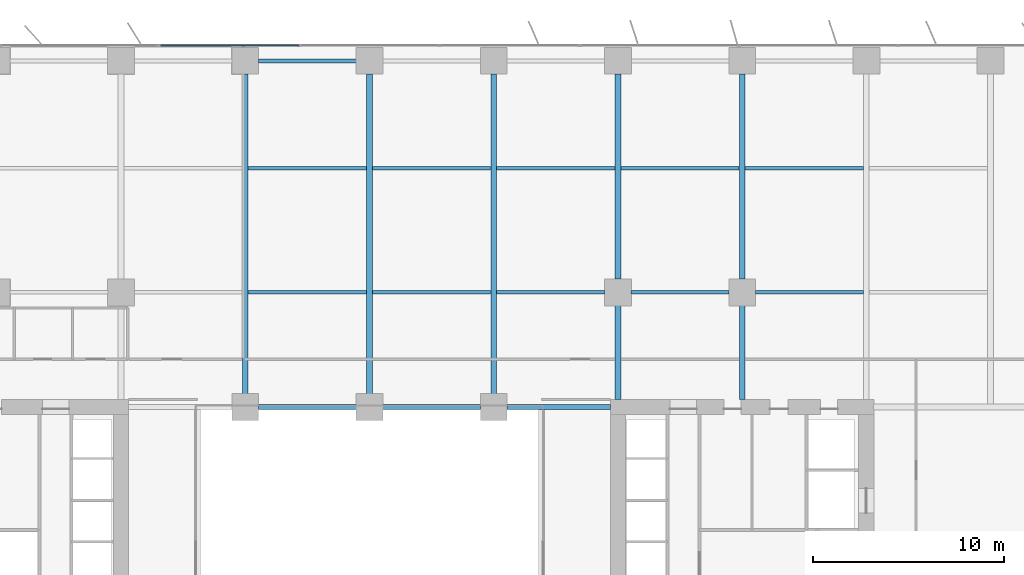
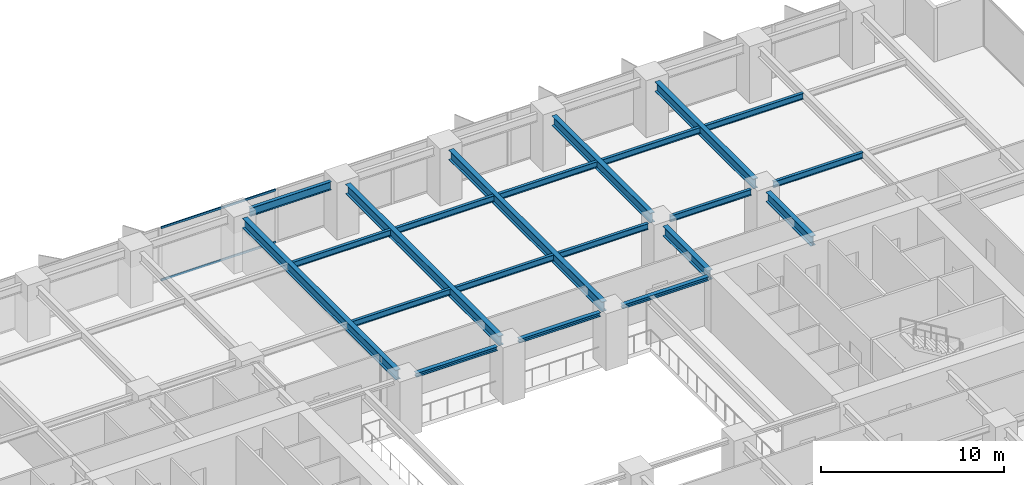
# One storey, part 8 of 20: 21 beams, 2 members, 1 element without a shape of its own.
"""IFC4 building model written with IfcOpenShell, lengths in metres."""

from ifc_helpers import new_model, si_unit, direction, frame, origin, origin_2d, place, context, subcontext, project, spatial, rectangle, i_section, extrude, material, layer, layer_set, material_profile, profile_set, type_object, element, aggregate, save


model = new_model("IFC4")

# Units and contexts
model_context = context("Model", 3, precision=1e-05, world=origin(), true_north=direction((0.0, 1.0)))
body_context = subcontext(model_context, "Body", "Model", "MODEL_VIEW")
ifc_project = project(units=[si_unit("LENGTHUNIT", "METRE"), si_unit("AREAUNIT", "SQUARE_METRE"), si_unit("VOLUMEUNIT", "CUBIC_METRE"), si_unit("PLANEANGLEUNIT", "RADIAN"), si_unit("MASSUNIT", "GRAM", prefix="KILO")], contexts=[model_context])

# Site, building, storey
site_placement = place(None, origin())
site = spatial("IfcSite", under=ifc_project, at=site_placement, CompositionType="ELEMENT")
building_placement = place(site_placement, origin())
building = spatial("IfcBuilding", under=site, at=building_placement, Name="Putna Gate Headquarters", CompositionType="ELEMENT")
storey_placement = place(building_placement, frame((0.0, 0.0, 27.800048828125)))
storey = spatial("IfcBuildingStorey", under=building, at=storey_placement, Name="L05", CompositionType="ELEMENT", Elevation=27.800048828125)

# Beams
ifc_material_1 = material(Name="Steel S355J2", Category="steel")
ifc_material_profile_1 = material_profile(ifc_material_1, i_section(OverallWidth=0.260009765625, OverallDepth=0.260009765625, WebThickness=0.010009765625, FlangeThickness=0.017578125, at=origin_2d()), Name="Steel S355J2")
ifc_profile_set_1 = profile_set([ifc_material_profile_1], Name="Steel S355J2")
beam_type_1 = type_object("IfcBeamType", Name="BM-ATRIUM-HEB260", PredefinedType="BEAM", material=ifc_profile_set_1)
for number, where, z_axis, x_axis, name in (
    (1, (33.18798828125, 33.0, 3.419921875), (1.0, 0.0, 0.0), (0.0, 1.0, 0.0), "L05 Atrium Edge Beam AN2"),
    (2, (39.68798828125, 33.0, 3.419921875), (1.0, 0.0, 0.0), (0.0, 1.0, 0.0), "L05 Atrium Edge Beam AN3"),
):
    element("IfcBeam", number, at=place(storey_placement, frame(where, z_axis=z_axis, x_axis=x_axis)), inside=storey, type_object=beam_type_1, Name=name, PredefinedType="BEAM", context=body_context, shape_type="SweptSolid", body=[
        extrude(i_section(OverallWidth=0.260009765625, OverallDepth=0.260009765625, WebThickness=0.010009765625, FlangeThickness=0.017578125, at=origin_2d()), origin(), (0.0, 0.0, 1.0), 5.1240234375),
    ])
beam_1_placement = place(storey_placement, frame((46.18798828125, 33.0, 3.419921875), z_axis=(1.0, 0.0, 0.0), x_axis=(0.0, 1.0, 0.0)))
element("IfcBeam", 3, at=beam_1_placement, inside=storey, type_object=beam_type_1, Name="L05 Atrium Edge Beam AN4", PredefinedType="BEAM", context=body_context, shape_type="SweptSolid", body=[
    extrude(i_section(OverallWidth=0.260009765625, OverallDepth=0.260009765625, WebThickness=0.010009765625, FlangeThickness=0.017578125, at=origin_2d()), origin(), (0.0, 0.0, 1.0), 5.427001953125),
])
ifc_material_profile_2 = material_profile(ifc_material_1, i_section(OverallWidth=0.300048828125, OverallDepth=0.64990234375, WebThickness=0.01611328125, FlangeThickness=0.031005859375, at=origin_2d()), Name="Steel S355J2")
ifc_profile_set_2 = profile_set([ifc_material_profile_2], Name="Steel S355J2")
beam_type_2 = type_object("IfcBeamType", Name="BM-GIRD-Z1-HEB650", PredefinedType="USERDEFINED", material=ifc_profile_set_2)
for number, where, z_axis, x_axis, name in (
    (4, (32.5, 33.68798828125, 3.224853515625), (0.0, 1.0, 0.0), (-1.0, 0.0, 0.0), "L05 North Primary Girder X32"),
    (5, (39.0, 33.68798828125, 3.224853515625), (0.0, 1.0, 0.0), (-1.0, 0.0, 0.0), "L05 North Primary Girder X39"),
    (6, (45.5, 33.68798828125, 3.224853515625), (0.0, 1.0, 0.0), (-1.0, 0.0, 0.0), "L05 North Primary Girder X45"),
):
    element("IfcBeam", number, at=place(storey_placement, frame(where, z_axis=z_axis, x_axis=x_axis)), inside=storey, type_object=beam_type_2, Name=name, ObjectType="GIRDER", PredefinedType="USERDEFINED", context=body_context, shape_type="SweptSolid", body=[
        extrude(i_section(OverallWidth=0.300048828125, OverallDepth=0.64990234375, WebThickness=0.01611328125, FlangeThickness=0.031005859375, at=origin_2d()), origin(), (0.0, 0.0, 1.0), 16.743896484375),
    ])
beam_2_placement = place(storey_placement, frame((52.0, 33.385009765625, 3.224853515625), z_axis=(0.0, 1.0, 0.0), x_axis=(-1.0, 0.0, 0.0)))
element("IfcBeam", 7, at=beam_2_placement, inside=storey, type_object=beam_type_2, Name="L05 North Primary Girder X52-1", ObjectType="GIRDER", PredefinedType="USERDEFINED", context=body_context, shape_type="SweptSolid", body=[
    extrude(i_section(OverallWidth=0.300048828125, OverallDepth=0.64990234375, WebThickness=0.01611328125, FlangeThickness=0.031005859375, at=origin_2d()), origin(), (0.0, 0.0, 1.0), 4.927001953125),
])
beam_3_placement = place(storey_placement, frame((52.0, 39.68798828125, 3.224853515625), z_axis=(0.0, 1.0, 0.0), x_axis=(-1.0, 0.0, 0.0)))
element("IfcBeam", 8, at=beam_3_placement, inside=storey, type_object=beam_type_2, Name="L05 North Primary Girder X52-2", ObjectType="GIRDER", PredefinedType="USERDEFINED", context=body_context, shape_type="SweptSolid", body=[
    extrude(i_section(OverallWidth=0.300048828125, OverallDepth=0.64990234375, WebThickness=0.01611328125, FlangeThickness=0.031005859375, at=origin_2d()), origin(), (0.0, 0.0, 1.0), 10.743896484375),
])
beam_4_placement = place(storey_placement, frame((58.5, 33.385009765625, 3.224853515625), z_axis=(0.0, 1.0, 0.0), x_axis=(-1.0, 0.0, 0.0)))
element("IfcBeam", 9, at=beam_4_placement, inside=storey, type_object=beam_type_2, Name="L05 North Primary Girder X58-1", ObjectType="GIRDER", PredefinedType="USERDEFINED", context=body_context, shape_type="SweptSolid", body=[
    extrude(i_section(OverallWidth=0.300048828125, OverallDepth=0.64990234375, WebThickness=0.01611328125, FlangeThickness=0.031005859375, at=origin_2d()), origin(), (0.0, 0.0, 1.0), 4.927001953125),
])
beam_5_placement = place(storey_placement, frame((58.5, 39.68798828125, 3.224853515625), z_axis=(0.0, 1.0, 0.0), x_axis=(-1.0, 0.0, 0.0)))
element("IfcBeam", 10, at=beam_5_placement, inside=storey, type_object=beam_type_2, Name="L05 North Primary Girder X58-2", ObjectType="GIRDER", PredefinedType="USERDEFINED", context=body_context, shape_type="SweptSolid", body=[
    extrude(i_section(OverallWidth=0.300048828125, OverallDepth=0.64990234375, WebThickness=0.01611328125, FlangeThickness=0.031005859375, at=origin_2d()), origin(), (0.0, 0.0, 1.0), 10.743896484375),
])
ifc_material_profile_3 = material_profile(ifc_material_1, i_section(OverallWidth=0.179931640625, OverallDepth=0.39990234375, WebThickness=0.008544921875, FlangeThickness=0.013427734375, at=origin_2d()), Name="Steel S355J2")
ifc_profile_set_3 = profile_set([ifc_material_profile_3], Name="Steel S355J2")
beam_type_3 = type_object("IfcBeamType", Name="BM-SEC-Z1-IPE400", PredefinedType="BEAM", material=ifc_profile_set_3)
for number, where, z_axis, x_axis, name in (
    (11, (32.654052734375, 39.0, 3.349853515625), (1.0, 0.0, 0.0), (0.0, 1.0, 0.0), "L05 North Secondary Beam 5"),
    (12, (32.654052734375, 45.5, 3.349853515625), (1.0, 0.0, 0.0), (0.0, 1.0, 0.0), "L05 North Secondary Beam 5"),
    (13, (39.154052734375, 39.0, 3.349853515625), (1.0, 0.0, 0.0), (0.0, 1.0, 0.0), "L05 North Secondary Beam 6"),
    (14, (39.154052734375, 45.5, 3.349853515625), (1.0, 0.0, 0.0), (0.0, 1.0, 0.0), "L05 North Secondary Beam 6"),
):
    element("IfcBeam", number, at=place(storey_placement, frame(where, z_axis=z_axis, x_axis=x_axis)), inside=storey, type_object=beam_type_3, Name=name, PredefinedType="BEAM", context=body_context, shape_type="SweptSolid", body=[
        extrude(i_section(OverallWidth=0.179931640625, OverallDepth=0.39990234375, WebThickness=0.008544921875, FlangeThickness=0.013427734375, at=origin_2d()), origin(), (0.0, 0.0, 1.0), 6.19189453125),
    ])
beam_6_placement = place(storey_placement, frame((45.654052734375, 39.0, 3.349853515625), z_axis=(1.0, 0.0, 0.0), x_axis=(0.0, 1.0, 0.0)))
element("IfcBeam", 15, at=beam_6_placement, inside=storey, type_object=beam_type_3, Name="L05 North Secondary Beam 7", PredefinedType="BEAM", context=body_context, shape_type="SweptSolid", body=[
    extrude(i_section(OverallWidth=0.179931640625, OverallDepth=0.39990234375, WebThickness=0.008544921875, FlangeThickness=0.013427734375, at=origin_2d()), origin(), (0.0, 0.0, 1.0), 5.657958984375),
])
beam_7_placement = place(storey_placement, frame((45.654052734375, 45.5, 3.349853515625), z_axis=(1.0, 0.0, 0.0), x_axis=(0.0, 1.0, 0.0)))
element("IfcBeam", 16, at=beam_7_placement, inside=storey, type_object=beam_type_3, Name="L05 North Secondary Beam 7", PredefinedType="BEAM", context=body_context, shape_type="SweptSolid", body=[
    extrude(i_section(OverallWidth=0.179931640625, OverallDepth=0.39990234375, WebThickness=0.008544921875, FlangeThickness=0.013427734375, at=origin_2d()), origin(), (0.0, 0.0, 1.0), 6.19189453125),
])
beam_8_placement = place(storey_placement, frame((52.68798828125, 39.0, 3.349853515625), z_axis=(1.0, 0.0, 0.0), x_axis=(0.0, 1.0, 0.0)))
element("IfcBeam", 17, at=beam_8_placement, inside=storey, type_object=beam_type_3, Name="L05 North Secondary Beam 8", PredefinedType="BEAM", context=body_context, shape_type="SweptSolid", body=[
    extrude(i_section(OverallWidth=0.179931640625, OverallDepth=0.39990234375, WebThickness=0.008544921875, FlangeThickness=0.013427734375, at=origin_2d()), origin(), (0.0, 0.0, 1.0), 5.1240234375),
])
beam_9_placement = place(storey_placement, frame((52.154052734375, 45.5, 3.349853515625), z_axis=(1.0, 0.0, 0.0), x_axis=(0.0, 1.0, 0.0)))
element("IfcBeam", 18, at=beam_9_placement, inside=storey, type_object=beam_type_3, Name="L05 North Secondary Beam 8", PredefinedType="BEAM", context=body_context, shape_type="SweptSolid", body=[
    extrude(i_section(OverallWidth=0.179931640625, OverallDepth=0.39990234375, WebThickness=0.008544921875, FlangeThickness=0.013427734375, at=origin_2d()), origin(), (0.0, 0.0, 1.0), 6.19189453125),
])
beam_10_placement = place(storey_placement, frame((59.18798828125, 39.0, 3.349853515625), z_axis=(1.0, 0.0, 0.0), x_axis=(0.0, 1.0, 0.0)))
element("IfcBeam", 19, at=beam_10_placement, inside=storey, type_object=beam_type_3, Name="L05 North Secondary Beam 9", PredefinedType="BEAM", context=body_context, shape_type="SweptSolid", body=[
    extrude(i_section(OverallWidth=0.179931640625, OverallDepth=0.39990234375, WebThickness=0.008544921875, FlangeThickness=0.013427734375, at=origin_2d()), origin(), (0.0, 0.0, 1.0), 5.657958984375),
])
beam_11_placement = place(storey_placement, frame((58.654052734375, 45.5, 3.349853515625), z_axis=(1.0, 0.0, 0.0), x_axis=(0.0, 1.0, 0.0)))
element("IfcBeam", 20, at=beam_11_placement, inside=storey, type_object=beam_type_3, Name="L05 North Secondary Beam 9", PredefinedType="BEAM", context=body_context, shape_type="SweptSolid", body=[
    extrude(i_section(OverallWidth=0.179931640625, OverallDepth=0.39990234375, WebThickness=0.008544921875, FlangeThickness=0.013427734375, at=origin_2d()), origin(), (0.0, 0.0, 1.0), 6.19189453125),
])
ifc_material_profile_4 = material_profile(ifc_material_1, i_section(OverallWidth=0.2099609375, OverallDepth=0.550048828125, WebThickness=0.010986328125, FlangeThickness=0.01708984375, at=origin_2d()), Name="Steel S355J2")
ifc_profile_set_4 = profile_set([ifc_material_profile_4], Name="Steel S355J2")
beam_type_4 = type_object("IfcBeamType", Name="BM-SPAN-Z1-IPE550", PredefinedType="SPANDREL", material=ifc_profile_set_4)
beam_12_placement = place(storey_placement, frame((33.18798828125, 51.1201171875, 3.27490234375), z_axis=(1.0, 0.0, 0.0), x_axis=(0.0, 1.0, 0.0)))
element("IfcBeam", 21, at=beam_12_placement, inside=storey, type_object=beam_type_4, Name="L05 N Perimeter Spandrel 5", PredefinedType="SPANDREL", context=body_context, shape_type="SweptSolid", body=[
    extrude(i_section(OverallWidth=0.2099609375, OverallDepth=0.550048828125, WebThickness=0.010986328125, FlangeThickness=0.01708984375, at=origin_2d()), origin(), (0.0, 0.0, 1.0), 5.1240234375),
])

# Curtain wall, members
ifc_material_2 = material(Name="Anodised bronze aluminium curtain wall", Category="aluminium")
ifc_layer = layer(ifc_material_2, 0.179931640625)
ifc_layer_set = layer_set([ifc_layer], Name="Anodised bronze aluminium curtain wall")
curtain_wall_type = type_object("IfcCurtainWallType", Name="CW-SYS-ATR", PredefinedType="USERDEFINED", material=ifc_layer_set)
curtain_wall_placement = place(storey_placement, origin())
curtain_wall = element("IfcCurtainWall", 22, at=curtain_wall_placement, inside=storey, type_object=curtain_wall_type, Name="L05 North Atrium Clear Glazing", ObjectType="ATRIUM GLAZING", PredefinedType="USERDEFINED")
ifc_material_3 = material(Name="Anodised bronze aluminium EN AW-6060", Category="aluminium")
ifc_material_profile_5 = material_profile(ifc_material_3, rectangle(XDim=0.070068359375, YDim=0.139892578125, at=origin_2d()), Name="Anodised bronze aluminium EN AW-6060")
ifc_profile_set_5 = profile_set([ifc_material_profile_5], Name="Anodised bronze aluminium EN AW-6060")
member_type = type_object("IfcMemberType", Name="TRAN-CWT-AT", PredefinedType="USERDEFINED", material=ifc_profile_set_5)
member_1_placement = place(storey_placement, frame((28.070068359375, 51.919921875, 0.034912109375), z_axis=(1.0, 0.0, 0.0), x_axis=(0.0, 1.0, 0.0)))
member_1 = element("IfcMember", 23, at=member_1_placement, type_object=member_type, Name="CWS-AT transom 1.1", ObjectType="TRANSOM", PredefinedType="USERDEFINED", context=body_context, shape_type="SweptSolid", body=[
    extrude(rectangle(XDim=0.070068359375, YDim=0.139892578125, at=origin_2d()), origin(), (0.0, 0.0, 1.0), 7.228271484375),
])
member_2_placement = place(storey_placement, frame((28.070068359375, 51.919921875, 3.514892578125), z_axis=(1.0, 0.0, 0.0), x_axis=(0.0, 1.0, 0.0)))
member_2 = element("IfcMember", 24, at=member_2_placement, type_object=member_type, Name="CWS-AT transom 1.2", ObjectType="TRANSOM", PredefinedType="USERDEFINED", context=body_context, shape_type="SweptSolid", body=[
    extrude(rectangle(XDim=0.070068359375, YDim=0.139892578125, at=origin_2d()), origin(), (0.0, 0.0, 1.0), 7.228271484375),
])
aggregate(curtain_wall, [member_1, member_2])

save(model, "model.ifc")
